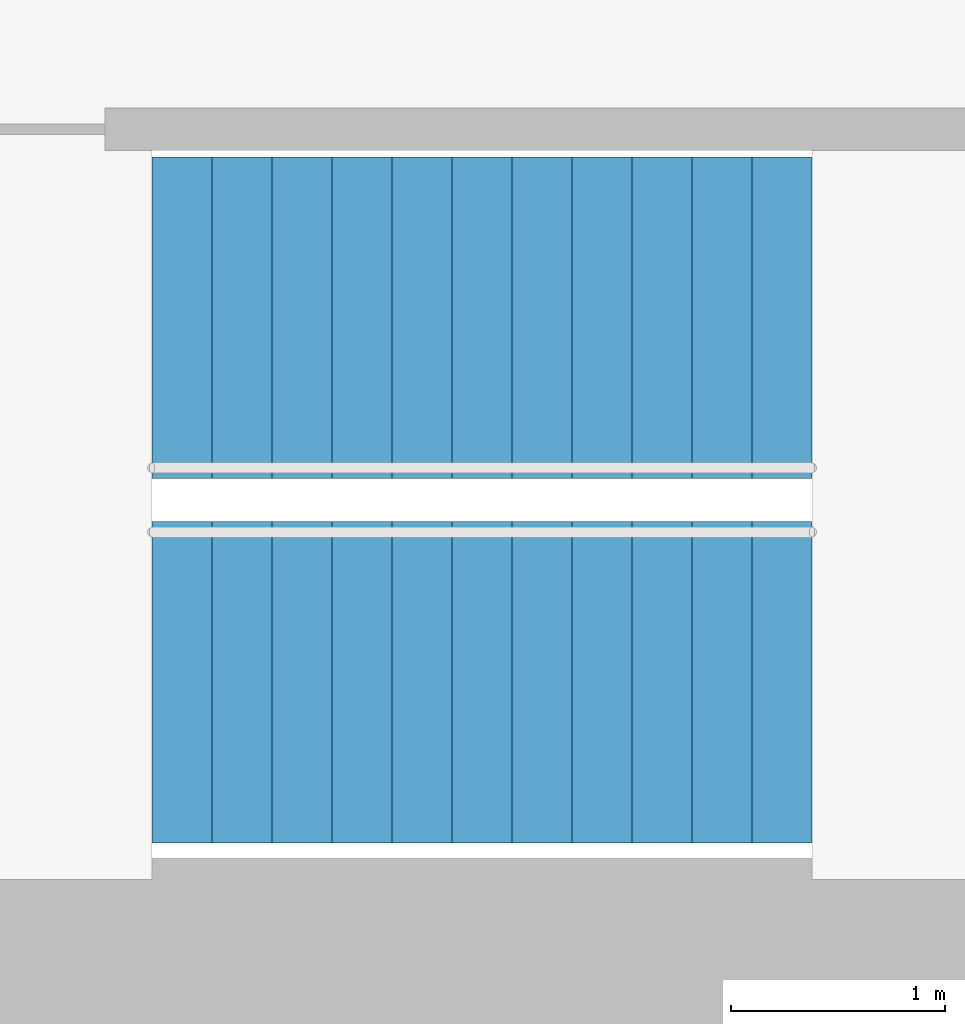
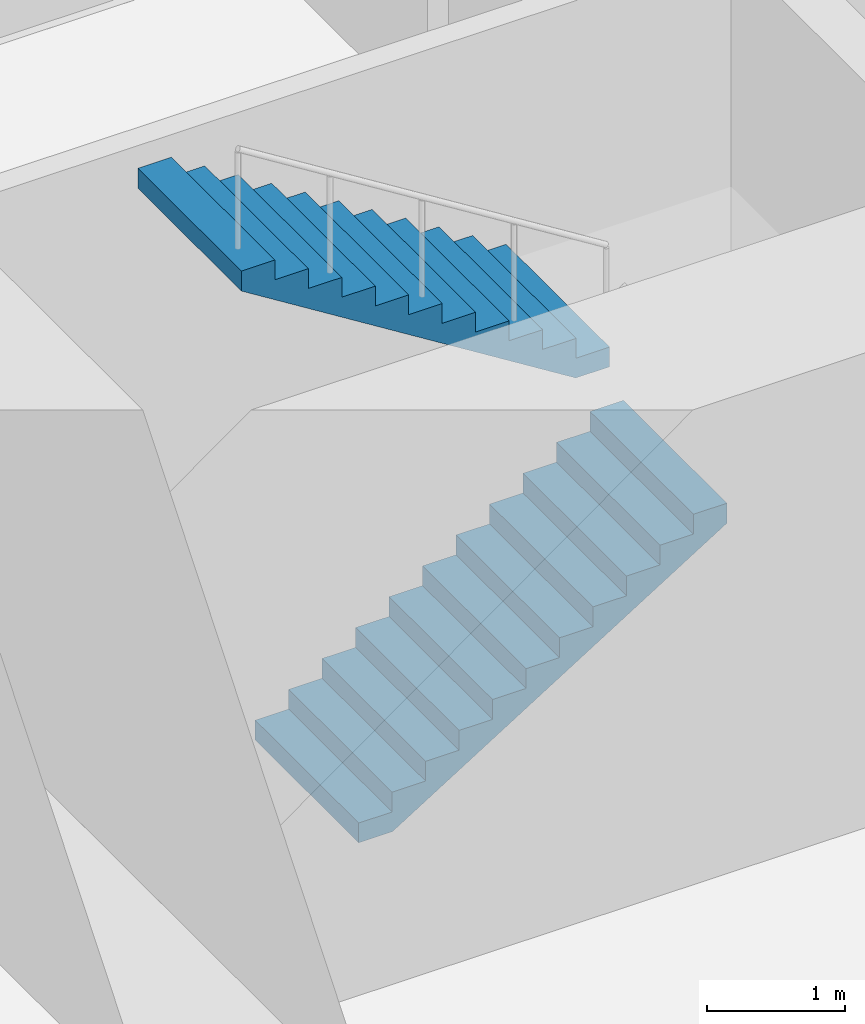
# One storey, part 16 of 18: 2 stair flights, 1 element without a shape of its own.
"""IFC4 building model written with IfcOpenShell, lengths in metres."""

from ifc_helpers import new_model, si_unit, direction, frame, origin, place, context, subcontext, project, spatial, triangles, material, type_object, element, aggregate, save


model = new_model("IFC4")

# Units and contexts
model_context = context("Model", 3, precision=1e-05, world=origin(), true_north=direction((0.0, 1.0)))
body_context = subcontext(model_context, "Body", "Model", "MODEL_VIEW")
ifc_project = project(units=[si_unit("LENGTHUNIT", "METRE"), si_unit("AREAUNIT", "SQUARE_METRE"), si_unit("VOLUMEUNIT", "CUBIC_METRE"), si_unit("PLANEANGLEUNIT", "RADIAN"), si_unit("MASSUNIT", "GRAM", prefix="KILO")], contexts=[model_context])

# Site, building, storey
site_placement = place(None, origin())
site = spatial("IfcSite", under=ifc_project, at=site_placement, CompositionType="ELEMENT")
building_placement = place(site_placement, origin())
building = spatial("IfcBuilding", under=site, at=building_placement, Name="Lantaw Convention Tower", CompositionType="ELEMENT")
storey_placement = place(building_placement, frame((0.0, 0.0, 176.199951171875)))
storey = spatial("IfcBuildingStorey", under=building, at=storey_placement, Name="L41", CompositionType="ELEMENT", Elevation=176.199951171875)

# Stair, stair flights
ifc_material = material(Name="Concrete C35/45", Category="concrete")
stair_type = type_object("IfcStairType", Name="Exit stair 1500 riser 175 in 2 flights", PredefinedType="HALF_TURN_STAIR", material=ifc_material)
stair_placement = place(storey_placement, origin())
stair = element("IfcStair", 1, at=stair_placement, inside=storey, type_object=stair_type, Name="Exit stair S1 L41", PredefinedType="HALF_TURN_STAIR")
stair_flight_type = type_object("IfcStairFlightType", Name="Stair flight 1500 riser 175", PredefinedType="STRAIGHT", material=ifc_material)
stair_flight_1_placement = place(storey_placement, frame((-10.580078125, -5.97998046875, 0.0), z_axis=(0.0, 0.0, 1.0), x_axis=(1.0, 0.0, 0.0)))
stair_flight_1 = element("IfcStairFlight", 2, at=stair_flight_1_placement, type_object=stair_flight_type, Name="S1 flight 1", NumberOfRisers=12, NumberOfTreads=11, PredefinedType="STRAIGHT", RiserHeight=0.175, TreadLength=0.28, context=body_context, shape_type="Tessellation", body=[
    triangles([(0.0, 0.75, 0.0), (0.0, 0.75, 0.175), (0.28, 0.75, 0.0), (0.28, 0.75, 0.175), (0.28, 0.75, 0.35), (0.28283517651771284, 0.75, 0.0), (0.28283517651771284, 0.75, 0.35), (0.56, 0.75, 0.17322801467642948), (0.56, 0.75, 0.35), (0.56, 0.75, 0.5249999999999999), (0.8400000000000001, 0.75, 0.34822801467642944), (0.8400000000000001, 0.75, 0.5249999999999999), (0.8400000000000001, 0.75, 0.7), (1.12, 0.75, 0.5232280146764294), (1.12, 0.75, 0.7), (1.12, 0.75, 0.875), (1.4000000000000001, 0.75, 0.6982280146764295), (1.4000000000000001, 0.75, 0.875), (1.4000000000000001, 0.75, 1.0499999999999998), (1.6800000000000002, 0.75, 0.8732280146764294), (1.6800000000000002, 0.75, 1.0499999999999998), (1.6800000000000002, 0.75, 1.2249999999999999), (1.9600000000000002, 0.75, 1.0482280146764293), (1.9600000000000002, 0.75, 1.2249999999999999), (1.9600000000000002, 0.75, 1.4), (2.24, 0.75, 1.2232280146764294), (2.24, 0.75, 1.4), (2.24, 0.75, 1.575), (2.5200000000000005, 0.75, 1.3982280146764294), (2.5200000000000005, 0.75, 1.575), (2.5200000000000005, 0.75, 1.75), (2.8000000000000003, 0.75, 1.5732280146764293), (2.8000000000000003, 0.75, 1.75), (2.8000000000000003, 0.75, 1.9249999999999998), (3.08, 0.75, 1.7482280146764293), (3.08, 0.75, 1.9249999999999998), (0.0, -0.75, 0.0), (0.0, -0.75, 0.175), (0.28, -0.75, 0.0), (0.28, -0.75, 0.175), (0.28, -0.75, 0.35), (0.28283517651771284, -0.75, 0.0), (0.28283517651771284, -0.75, 0.35), (0.56, -0.75, 0.17322801467642948), (0.56, -0.75, 0.35), (0.56, -0.75, 0.5249999999999999), (0.8400000000000001, -0.75, 0.34822801467642944), (0.8400000000000001, -0.75, 0.5249999999999999), (0.8400000000000001, -0.75, 0.7), (1.12, -0.75, 0.5232280146764294), (1.12, -0.75, 0.7), (1.12, -0.75, 0.875), (1.4000000000000001, -0.75, 0.6982280146764295), (1.4000000000000001, -0.75, 0.875), (1.4000000000000001, -0.75, 1.0499999999999998), (1.6800000000000002, -0.75, 0.8732280146764294), (1.6800000000000002, -0.75, 1.0499999999999998), (1.6800000000000002, -0.75, 1.2249999999999999), (1.9600000000000002, -0.75, 1.0482280146764293), (1.9600000000000002, -0.75, 1.2249999999999999), (1.9600000000000002, -0.75, 1.4), (2.24, -0.75, 1.2232280146764294), (2.24, -0.75, 1.4), (2.24, -0.75, 1.575), (2.5200000000000005, -0.75, 1.3982280146764294), (2.5200000000000005, -0.75, 1.575), (2.5200000000000005, -0.75, 1.75), (2.8000000000000003, -0.75, 1.5732280146764293), (2.8000000000000003, -0.75, 1.75), (2.8000000000000003, -0.75, 1.9249999999999998), (3.08, -0.75, 1.7482280146764293), (3.08, -0.75, 1.9249999999999998), (0.0, 0.15000000000000002, 0.175), (0.0, 0.15000000000000002, 0.0), (0.0, 0.0, 0.175), (0.0, 0.0, 0.0), (0.0, -0.15000000000000002, 0.175), (0.0, -0.15000000000000002, 0.0), (0.28, 0.15000000000000002, 0.35), (0.28, 0.15000000000000002, 0.175), (0.28, 0.0, 0.35), (0.28, 0.0, 0.175), (0.28, -0.15000000000000002, 0.35), (0.28, -0.15000000000000002, 0.175), (0.56, 0.15000000000000002, 0.5249999999999999), (0.56, 0.15000000000000002, 0.35), (0.56, 0.0, 0.5249999999999999), (0.56, 0.0, 0.35), (0.56, -0.15000000000000002, 0.5249999999999999), (0.56, -0.15000000000000002, 0.35), (0.8400000000000001, 0.15000000000000002, 0.7), (0.8400000000000001, 0.15000000000000002, 0.5249999999999999), (0.8400000000000001, 0.0, 0.7), (0.8400000000000001, 0.0, 0.5249999999999999), (0.8400000000000001, -0.15000000000000002, 0.7), (0.8400000000000001, -0.15000000000000002, 0.5249999999999999), (1.12, 0.15000000000000002, 0.875), (1.12, 0.15000000000000002, 0.7), (1.12, 0.0, 0.875), (1.12, 0.0, 0.7), (1.12, -0.15000000000000002, 0.875), (1.12, -0.15000000000000002, 0.7), (1.4000000000000001, 0.15000000000000002, 1.0499999999999998), (1.4000000000000001, 0.15000000000000002, 0.875), (1.4000000000000001, 0.0, 1.0499999999999998), (1.4000000000000001, 0.0, 0.875), (1.4000000000000001, -0.15000000000000002, 1.0499999999999998), (1.4000000000000001, -0.15000000000000002, 0.875), (1.6800000000000002, 0.15000000000000002, 1.2249999999999999), (1.6800000000000002, 0.15000000000000002, 1.0499999999999998), (1.6800000000000002, 0.0, 1.2249999999999999), (1.6800000000000002, 0.0, 1.0499999999999998), (1.6800000000000002, -0.15000000000000002, 1.2249999999999999), (1.6800000000000002, -0.15000000000000002, 1.0499999999999998), (1.9600000000000002, 0.15000000000000002, 1.4), (1.9600000000000002, 0.15000000000000002, 1.2249999999999999), (1.9600000000000002, 0.0, 1.4), (1.9600000000000002, 0.0, 1.2249999999999999), (1.9600000000000002, -0.15000000000000002, 1.4), (1.9600000000000002, -0.15000000000000002, 1.2249999999999999), (2.24, 0.15000000000000002, 1.575), (2.24, 0.15000000000000002, 1.4), (2.24, 0.0, 1.575), (2.24, 0.0, 1.4), (2.24, -0.15000000000000002, 1.575), (2.24, -0.15000000000000002, 1.4), (2.5200000000000005, 0.15000000000000002, 1.75), (2.5200000000000005, 0.15000000000000002, 1.575), (2.5200000000000005, 0.0, 1.75), (2.5200000000000005, 0.0, 1.575), (2.5200000000000005, -0.15000000000000002, 1.75), (2.5200000000000005, -0.15000000000000002, 1.575), (2.8000000000000003, 0.15000000000000002, 1.9249999999999998), (2.8000000000000003, 0.15000000000000002, 1.75), (2.8000000000000003, 0.0, 1.9249999999999998), (2.8000000000000003, 0.0, 1.75), (2.8000000000000003, -0.15000000000000002, 1.9249999999999998), (2.8000000000000003, -0.15000000000000002, 1.75), (0.28283517651771284, 0.15000000000000002, 0.35), (0.28283517651771284, 0.0, 0.35), (0.28283517651771284, -0.15000000000000002, 0.35), (3.08, 0.15000000000000002, 1.9249999999999998), (3.08, 0.0, 1.9249999999999998), (3.08, -0.15000000000000002, 1.9249999999999998), (3.08, 0.15000000000000002, 1.7482280146764293), (3.08, 0.0, 1.7482280146764293), (3.08, -0.15000000000000002, 1.7482280146764293), (2.8000000000000003, 0.15000000000000002, 1.5732280146764293), (2.8000000000000003, 0.0, 1.5732280146764293), (2.8000000000000003, -0.15000000000000002, 1.5732280146764293), (2.5200000000000005, 0.15000000000000002, 1.3982280146764294), (2.5200000000000005, 0.0, 1.3982280146764294), (2.5200000000000005, -0.15000000000000002, 1.3982280146764294), (2.24, 0.15000000000000002, 1.2232280146764294), (2.24, 0.0, 1.2232280146764294), (2.24, -0.15000000000000002, 1.2232280146764294), (1.9600000000000002, 0.15000000000000002, 1.0482280146764293), (1.9600000000000002, 0.0, 1.0482280146764293), (1.9600000000000002, -0.15000000000000002, 1.0482280146764293), (1.6800000000000002, 0.15000000000000002, 0.8732280146764294), (1.6800000000000002, 0.0, 0.8732280146764294), (1.6800000000000002, -0.15000000000000002, 0.8732280146764294), (1.4000000000000001, 0.15000000000000002, 0.6982280146764295), (1.4000000000000001, 0.0, 0.6982280146764295), (1.4000000000000001, -0.15000000000000002, 0.6982280146764295), (1.12, 0.15000000000000002, 0.5232280146764294), (1.12, 0.0, 0.5232280146764294), (1.12, -0.15000000000000002, 0.5232280146764294), (0.8400000000000001, 0.15000000000000002, 0.34822801467642944), (0.8400000000000001, 0.0, 0.34822801467642944), (0.8400000000000001, -0.15000000000000002, 0.34822801467642944), (0.56, 0.15000000000000002, 0.17322801467642948), (0.56, 0.0, 0.17322801467642948), (0.56, -0.15000000000000002, 0.17322801467642948), (0.28283517651771284, 0.15000000000000002, 0.0), (0.28283517651771284, 0.0, 0.0), (0.28283517651771284, -0.15000000000000002, 0.0), (0.28, 0.15000000000000002, 0.0), (0.28, 0.0, 0.0), (0.28, -0.15000000000000002, 0.0)], [[1, 4, 3], [1, 2, 4], [3, 4, 6], [4, 7, 6], [4, 5, 7], [6, 9, 8], [6, 7, 9], [8, 9, 11], [9, 12, 11], [9, 10, 12], [11, 12, 14], [12, 15, 14], [12, 13, 15], [14, 15, 17], [15, 18, 17], [15, 16, 18], [17, 18, 20], [18, 21, 20], [18, 19, 21], [20, 21, 23], [21, 24, 23], [21, 22, 24], [23, 24, 26], [24, 27, 26], [24, 25, 27], [26, 27, 29], [27, 30, 29], [27, 28, 30], [29, 30, 32], [30, 33, 32], [30, 31, 33], [32, 33, 35], [33, 36, 35], [33, 34, 36], [37, 39, 40], [37, 40, 38], [39, 42, 40], [40, 42, 43], [40, 43, 41], [42, 44, 45], [42, 45, 43], [44, 47, 45], [45, 47, 48], [45, 48, 46], [47, 50, 48], [48, 50, 51], [48, 51, 49], [50, 53, 51], [51, 53, 54], [51, 54, 52], [53, 56, 54], [54, 56, 57], [54, 57, 55], [56, 59, 57], [57, 59, 60], [57, 60, 58], [59, 62, 60], [60, 62, 63], [60, 63, 61], [62, 65, 63], [63, 65, 66], [63, 66, 64], [65, 68, 66], [66, 68, 69], [66, 69, 67], [68, 71, 69], [69, 71, 72], [69, 72, 70], [1, 73, 2], [1, 74, 73], [74, 75, 73], [74, 76, 75], [76, 77, 75], [76, 78, 77], [78, 38, 77], [78, 37, 38], [4, 79, 5], [4, 80, 79], [80, 81, 79], [80, 82, 81], [82, 83, 81], [82, 84, 83], [84, 41, 83], [84, 40, 41], [9, 85, 10], [9, 86, 85], [86, 87, 85], [86, 88, 87], [88, 89, 87], [88, 90, 89], [90, 46, 89], [90, 45, 46], [12, 91, 13], [12, 92, 91], [92, 93, 91], [92, 94, 93], [94, 95, 93], [94, 96, 95], [96, 49, 95], [96, 48, 49], [15, 97, 16], [15, 98, 97], [98, 99, 97], [98, 100, 99], [100, 101, 99], [100, 102, 101], [102, 52, 101], [102, 51, 52], [18, 103, 19], [18, 104, 103], [104, 105, 103], [104, 106, 105], [106, 107, 105], [106, 108, 107], [108, 55, 107], [108, 54, 55], [21, 109, 22], [21, 110, 109], [110, 111, 109], [110, 112, 111], [112, 113, 111], [112, 114, 113], [114, 58, 113], [114, 57, 58], [24, 115, 25], [24, 116, 115], [116, 117, 115], [116, 118, 117], [118, 119, 117], [118, 120, 119], [120, 61, 119], [120, 60, 61], [27, 121, 28], [27, 122, 121], [122, 123, 121], [122, 124, 123], [124, 125, 123], [124, 126, 125], [126, 64, 125], [126, 63, 64], [30, 127, 31], [30, 128, 127], [128, 129, 127], [128, 130, 129], [130, 131, 129], [130, 132, 131], [132, 67, 131], [132, 66, 67], [33, 133, 34], [33, 134, 133], [134, 135, 133], [134, 136, 135], [136, 137, 135], [136, 138, 137], [138, 70, 137], [138, 69, 70], [2, 80, 4], [2, 73, 80], [73, 82, 80], [73, 75, 82], [75, 84, 82], [75, 77, 84], [77, 40, 84], [77, 38, 40], [5, 139, 7], [5, 79, 139], [79, 140, 139], [79, 81, 140], [81, 141, 140], [81, 83, 141], [83, 43, 141], [83, 41, 43], [7, 86, 9], [7, 139, 86], [139, 88, 86], [139, 140, 88], [140, 90, 88], [140, 141, 90], [141, 45, 90], [141, 43, 45], [10, 92, 12], [10, 85, 92], [85, 94, 92], [85, 87, 94], [87, 96, 94], [87, 89, 96], [89, 48, 96], [89, 46, 48], [13, 98, 15], [13, 91, 98], [91, 100, 98], [91, 93, 100], [93, 102, 100], [93, 95, 102], [95, 51, 102], [95, 49, 51], [16, 104, 18], [16, 97, 104], [97, 106, 104], [97, 99, 106], [99, 108, 106], [99, 101, 108], [101, 54, 108], [101, 52, 54], [19, 110, 21], [19, 103, 110], [103, 112, 110], [103, 105, 112], [105, 114, 112], [105, 107, 114], [107, 57, 114], [107, 55, 57], [22, 116, 24], [22, 109, 116], [109, 118, 116], [109, 111, 118], [111, 120, 118], [111, 113, 120], [113, 60, 120], [113, 58, 60], [25, 122, 27], [25, 115, 122], [115, 124, 122], [115, 117, 124], [117, 126, 124], [117, 119, 126], [119, 63, 126], [119, 61, 63], [28, 128, 30], [28, 121, 128], [121, 130, 128], [121, 123, 130], [123, 132, 130], [123, 125, 132], [125, 66, 132], [125, 64, 66], [31, 134, 33], [31, 127, 134], [127, 136, 134], [127, 129, 136], [129, 138, 136], [129, 131, 138], [131, 69, 138], [131, 67, 69], [34, 142, 36], [34, 133, 142], [133, 143, 142], [133, 135, 143], [135, 144, 143], [135, 137, 144], [137, 72, 144], [137, 70, 72], [36, 145, 35], [36, 142, 145], [142, 146, 145], [142, 143, 146], [143, 147, 146], [143, 144, 147], [144, 71, 147], [144, 72, 71], [35, 148, 32], [35, 145, 148], [145, 149, 148], [145, 146, 149], [146, 150, 149], [146, 147, 150], [147, 68, 150], [147, 71, 68], [32, 151, 29], [32, 148, 151], [148, 152, 151], [148, 149, 152], [149, 153, 152], [149, 150, 153], [150, 65, 153], [150, 68, 65], [29, 154, 26], [29, 151, 154], [151, 155, 154], [151, 152, 155], [152, 156, 155], [152, 153, 156], [153, 62, 156], [153, 65, 62], [26, 157, 23], [26, 154, 157], [154, 158, 157], [154, 155, 158], [155, 159, 158], [155, 156, 159], [156, 59, 159], [156, 62, 59], [23, 160, 20], [23, 157, 160], [157, 161, 160], [157, 158, 161], [158, 162, 161], [158, 159, 162], [159, 56, 162], [159, 59, 56], [20, 163, 17], [20, 160, 163], [160, 164, 163], [160, 161, 164], [161, 165, 164], [161, 162, 165], [162, 53, 165], [162, 56, 53], [17, 166, 14], [17, 163, 166], [163, 167, 166], [163, 164, 167], [164, 168, 167], [164, 165, 168], [165, 50, 168], [165, 53, 50], [14, 169, 11], [14, 166, 169], [166, 170, 169], [166, 167, 170], [167, 171, 170], [167, 168, 171], [168, 47, 171], [168, 50, 47], [11, 172, 8], [11, 169, 172], [169, 173, 172], [169, 170, 173], [170, 174, 173], [170, 171, 174], [171, 44, 174], [171, 47, 44], [8, 175, 6], [8, 172, 175], [172, 176, 175], [172, 173, 176], [173, 177, 176], [173, 174, 177], [174, 42, 177], [174, 44, 42], [6, 178, 3], [6, 175, 178], [175, 179, 178], [175, 176, 179], [176, 180, 179], [176, 177, 180], [177, 39, 180], [177, 42, 39], [3, 74, 1], [3, 178, 74], [178, 76, 74], [178, 179, 76], [179, 78, 76], [179, 180, 78], [180, 37, 78], [180, 39, 37]], closed=True),
])
stair_flight_2_placement = place(storey_placement, frame((-7.5, -4.280029296875, 2.10009765625), z_axis=(0.0, 0.0, 1.0), x_axis=(-1.0, 0.0, 0.0)))
stair_flight_2 = element("IfcStairFlight", 3, at=stair_flight_2_placement, type_object=stair_flight_type, Name="S1 flight 2", NumberOfRisers=12, NumberOfTreads=11, PredefinedType="STRAIGHT", RiserHeight=0.175, TreadLength=0.28, context=body_context, shape_type="Tessellation", body=[
    triangles([(0.0, 0.75, 0.0), (0.0, 0.75, 0.175), (0.28, 0.75, 0.0), (0.28, 0.75, 0.175), (0.28, 0.75, 0.35), (0.28283517651771284, 0.75, 0.0), (0.28283517651771284, 0.75, 0.35), (0.56, 0.75, 0.17322801467642948), (0.56, 0.75, 0.35), (0.56, 0.75, 0.5249999999999999), (0.8400000000000001, 0.75, 0.34822801467642944), (0.8400000000000001, 0.75, 0.5249999999999999), (0.8400000000000001, 0.75, 0.7), (1.12, 0.75, 0.5232280146764294), (1.12, 0.75, 0.7), (1.12, 0.75, 0.875), (1.4000000000000001, 0.75, 0.6982280146764295), (1.4000000000000001, 0.75, 0.875), (1.4000000000000001, 0.75, 1.0499999999999998), (1.6800000000000002, 0.75, 0.8732280146764294), (1.6800000000000002, 0.75, 1.0499999999999998), (1.6800000000000002, 0.75, 1.2249999999999999), (1.9600000000000002, 0.75, 1.0482280146764293), (1.9600000000000002, 0.75, 1.2249999999999999), (1.9600000000000002, 0.75, 1.4), (2.24, 0.75, 1.2232280146764294), (2.24, 0.75, 1.4), (2.24, 0.75, 1.575), (2.5200000000000005, 0.75, 1.3982280146764294), (2.5200000000000005, 0.75, 1.575), (2.5200000000000005, 0.75, 1.75), (2.8000000000000003, 0.75, 1.5732280146764293), (2.8000000000000003, 0.75, 1.75), (2.8000000000000003, 0.75, 1.9249999999999998), (3.08, 0.75, 1.7482280146764293), (3.08, 0.75, 1.9249999999999998), (0.0, -0.75, 0.0), (0.0, -0.75, 0.175), (0.28, -0.75, 0.0), (0.28, -0.75, 0.175), (0.28, -0.75, 0.35), (0.28283517651771284, -0.75, 0.0), (0.28283517651771284, -0.75, 0.35), (0.56, -0.75, 0.17322801467642948), (0.56, -0.75, 0.35), (0.56, -0.75, 0.5249999999999999), (0.8400000000000001, -0.75, 0.34822801467642944), (0.8400000000000001, -0.75, 0.5249999999999999), (0.8400000000000001, -0.75, 0.7), (1.12, -0.75, 0.5232280146764294), (1.12, -0.75, 0.7), (1.12, -0.75, 0.875), (1.4000000000000001, -0.75, 0.6982280146764295), (1.4000000000000001, -0.75, 0.875), (1.4000000000000001, -0.75, 1.0499999999999998), (1.6800000000000002, -0.75, 0.8732280146764294), (1.6800000000000002, -0.75, 1.0499999999999998), (1.6800000000000002, -0.75, 1.2249999999999999), (1.9600000000000002, -0.75, 1.0482280146764293), (1.9600000000000002, -0.75, 1.2249999999999999), (1.9600000000000002, -0.75, 1.4), (2.24, -0.75, 1.2232280146764294), (2.24, -0.75, 1.4), (2.24, -0.75, 1.575), (2.5200000000000005, -0.75, 1.3982280146764294), (2.5200000000000005, -0.75, 1.575), (2.5200000000000005, -0.75, 1.75), (2.8000000000000003, -0.75, 1.5732280146764293), (2.8000000000000003, -0.75, 1.75), (2.8000000000000003, -0.75, 1.9249999999999998), (3.08, -0.75, 1.7482280146764293), (3.08, -0.75, 1.9249999999999998), (0.0, 0.15000000000000002, 0.175), (0.0, 0.15000000000000002, 0.0), (0.0, 0.0, 0.175), (0.0, 0.0, 0.0), (0.0, -0.15000000000000002, 0.175), (0.0, -0.15000000000000002, 0.0), (0.28, 0.15000000000000002, 0.35), (0.28, 0.15000000000000002, 0.175), (0.28, 0.0, 0.35), (0.28, 0.0, 0.175), (0.28, -0.15000000000000002, 0.35), (0.28, -0.15000000000000002, 0.175), (0.56, 0.15000000000000002, 0.5249999999999999), (0.56, 0.15000000000000002, 0.35), (0.56, 0.0, 0.5249999999999999), (0.56, 0.0, 0.35), (0.56, -0.15000000000000002, 0.5249999999999999), (0.56, -0.15000000000000002, 0.35), (0.8400000000000001, 0.15000000000000002, 0.7), (0.8400000000000001, 0.15000000000000002, 0.5249999999999999), (0.8400000000000001, 0.0, 0.7), (0.8400000000000001, 0.0, 0.5249999999999999), (0.8400000000000001, -0.15000000000000002, 0.7), (0.8400000000000001, -0.15000000000000002, 0.5249999999999999), (1.12, 0.15000000000000002, 0.875), (1.12, 0.15000000000000002, 0.7), (1.12, 0.0, 0.875), (1.12, 0.0, 0.7), (1.12, -0.15000000000000002, 0.875), (1.12, -0.15000000000000002, 0.7), (1.4000000000000001, 0.15000000000000002, 1.0499999999999998), (1.4000000000000001, 0.15000000000000002, 0.875), (1.4000000000000001, 0.0, 1.0499999999999998), (1.4000000000000001, 0.0, 0.875), (1.4000000000000001, -0.15000000000000002, 1.0499999999999998), (1.4000000000000001, -0.15000000000000002, 0.875), (1.6800000000000002, 0.15000000000000002, 1.2249999999999999), (1.6800000000000002, 0.15000000000000002, 1.0499999999999998), (1.6800000000000002, 0.0, 1.2249999999999999), (1.6800000000000002, 0.0, 1.0499999999999998), (1.6800000000000002, -0.15000000000000002, 1.2249999999999999), (1.6800000000000002, -0.15000000000000002, 1.0499999999999998), (1.9600000000000002, 0.15000000000000002, 1.4), (1.9600000000000002, 0.15000000000000002, 1.2249999999999999), (1.9600000000000002, 0.0, 1.4), (1.9600000000000002, 0.0, 1.2249999999999999), (1.9600000000000002, -0.15000000000000002, 1.4), (1.9600000000000002, -0.15000000000000002, 1.2249999999999999), (2.24, 0.15000000000000002, 1.575), (2.24, 0.15000000000000002, 1.4), (2.24, 0.0, 1.575), (2.24, 0.0, 1.4), (2.24, -0.15000000000000002, 1.575), (2.24, -0.15000000000000002, 1.4), (2.5200000000000005, 0.15000000000000002, 1.75), (2.5200000000000005, 0.15000000000000002, 1.575), (2.5200000000000005, 0.0, 1.75), (2.5200000000000005, 0.0, 1.575), (2.5200000000000005, -0.15000000000000002, 1.75), (2.5200000000000005, -0.15000000000000002, 1.575), (2.8000000000000003, 0.15000000000000002, 1.9249999999999998), (2.8000000000000003, 0.15000000000000002, 1.75), (2.8000000000000003, 0.0, 1.9249999999999998), (2.8000000000000003, 0.0, 1.75), (2.8000000000000003, -0.15000000000000002, 1.9249999999999998), (2.8000000000000003, -0.15000000000000002, 1.75), (0.28283517651771284, 0.15000000000000002, 0.35), (0.28283517651771284, 0.0, 0.35), (0.28283517651771284, -0.15000000000000002, 0.35), (3.08, 0.15000000000000002, 1.9249999999999998), (3.08, 0.0, 1.9249999999999998), (3.08, -0.15000000000000002, 1.9249999999999998), (3.08, 0.15000000000000002, 1.7482280146764293), (3.08, 0.0, 1.7482280146764293), (3.08, -0.15000000000000002, 1.7482280146764293), (2.8000000000000003, 0.15000000000000002, 1.5732280146764293), (2.8000000000000003, 0.0, 1.5732280146764293), (2.8000000000000003, -0.15000000000000002, 1.5732280146764293), (2.5200000000000005, 0.15000000000000002, 1.3982280146764294), (2.5200000000000005, 0.0, 1.3982280146764294), (2.5200000000000005, -0.15000000000000002, 1.3982280146764294), (2.24, 0.15000000000000002, 1.2232280146764294), (2.24, 0.0, 1.2232280146764294), (2.24, -0.15000000000000002, 1.2232280146764294), (1.9600000000000002, 0.15000000000000002, 1.0482280146764293), (1.9600000000000002, 0.0, 1.0482280146764293), (1.9600000000000002, -0.15000000000000002, 1.0482280146764293), (1.6800000000000002, 0.15000000000000002, 0.8732280146764294), (1.6800000000000002, 0.0, 0.8732280146764294), (1.6800000000000002, -0.15000000000000002, 0.8732280146764294), (1.4000000000000001, 0.15000000000000002, 0.6982280146764295), (1.4000000000000001, 0.0, 0.6982280146764295), (1.4000000000000001, -0.15000000000000002, 0.6982280146764295), (1.12, 0.15000000000000002, 0.5232280146764294), (1.12, 0.0, 0.5232280146764294), (1.12, -0.15000000000000002, 0.5232280146764294), (0.8400000000000001, 0.15000000000000002, 0.34822801467642944), (0.8400000000000001, 0.0, 0.34822801467642944), (0.8400000000000001, -0.15000000000000002, 0.34822801467642944), (0.56, 0.15000000000000002, 0.17322801467642948), (0.56, 0.0, 0.17322801467642948), (0.56, -0.15000000000000002, 0.17322801467642948), (0.28283517651771284, 0.15000000000000002, 0.0), (0.28283517651771284, 0.0, 0.0), (0.28283517651771284, -0.15000000000000002, 0.0), (0.28, 0.15000000000000002, 0.0), (0.28, 0.0, 0.0), (0.28, -0.15000000000000002, 0.0)], [[1, 4, 3], [1, 2, 4], [3, 4, 6], [4, 7, 6], [4, 5, 7], [6, 9, 8], [6, 7, 9], [8, 9, 11], [9, 12, 11], [9, 10, 12], [11, 12, 14], [12, 15, 14], [12, 13, 15], [14, 15, 17], [15, 18, 17], [15, 16, 18], [17, 18, 20], [18, 21, 20], [18, 19, 21], [20, 21, 23], [21, 24, 23], [21, 22, 24], [23, 24, 26], [24, 27, 26], [24, 25, 27], [26, 27, 29], [27, 30, 29], [27, 28, 30], [29, 30, 32], [30, 33, 32], [30, 31, 33], [32, 33, 35], [33, 36, 35], [33, 34, 36], [37, 39, 40], [37, 40, 38], [39, 42, 40], [40, 42, 43], [40, 43, 41], [42, 44, 45], [42, 45, 43], [44, 47, 45], [45, 47, 48], [45, 48, 46], [47, 50, 48], [48, 50, 51], [48, 51, 49], [50, 53, 51], [51, 53, 54], [51, 54, 52], [53, 56, 54], [54, 56, 57], [54, 57, 55], [56, 59, 57], [57, 59, 60], [57, 60, 58], [59, 62, 60], [60, 62, 63], [60, 63, 61], [62, 65, 63], [63, 65, 66], [63, 66, 64], [65, 68, 66], [66, 68, 69], [66, 69, 67], [68, 71, 69], [69, 71, 72], [69, 72, 70], [1, 73, 2], [1, 74, 73], [74, 75, 73], [74, 76, 75], [76, 77, 75], [76, 78, 77], [78, 38, 77], [78, 37, 38], [4, 79, 5], [4, 80, 79], [80, 81, 79], [80, 82, 81], [82, 83, 81], [82, 84, 83], [84, 41, 83], [84, 40, 41], [9, 85, 10], [9, 86, 85], [86, 87, 85], [86, 88, 87], [88, 89, 87], [88, 90, 89], [90, 46, 89], [90, 45, 46], [12, 91, 13], [12, 92, 91], [92, 93, 91], [92, 94, 93], [94, 95, 93], [94, 96, 95], [96, 49, 95], [96, 48, 49], [15, 97, 16], [15, 98, 97], [98, 99, 97], [98, 100, 99], [100, 101, 99], [100, 102, 101], [102, 52, 101], [102, 51, 52], [18, 103, 19], [18, 104, 103], [104, 105, 103], [104, 106, 105], [106, 107, 105], [106, 108, 107], [108, 55, 107], [108, 54, 55], [21, 109, 22], [21, 110, 109], [110, 111, 109], [110, 112, 111], [112, 113, 111], [112, 114, 113], [114, 58, 113], [114, 57, 58], [24, 115, 25], [24, 116, 115], [116, 117, 115], [116, 118, 117], [118, 119, 117], [118, 120, 119], [120, 61, 119], [120, 60, 61], [27, 121, 28], [27, 122, 121], [122, 123, 121], [122, 124, 123], [124, 125, 123], [124, 126, 125], [126, 64, 125], [126, 63, 64], [30, 127, 31], [30, 128, 127], [128, 129, 127], [128, 130, 129], [130, 131, 129], [130, 132, 131], [132, 67, 131], [132, 66, 67], [33, 133, 34], [33, 134, 133], [134, 135, 133], [134, 136, 135], [136, 137, 135], [136, 138, 137], [138, 70, 137], [138, 69, 70], [2, 80, 4], [2, 73, 80], [73, 82, 80], [73, 75, 82], [75, 84, 82], [75, 77, 84], [77, 40, 84], [77, 38, 40], [5, 139, 7], [5, 79, 139], [79, 140, 139], [79, 81, 140], [81, 141, 140], [81, 83, 141], [83, 43, 141], [83, 41, 43], [7, 86, 9], [7, 139, 86], [139, 88, 86], [139, 140, 88], [140, 90, 88], [140, 141, 90], [141, 45, 90], [141, 43, 45], [10, 92, 12], [10, 85, 92], [85, 94, 92], [85, 87, 94], [87, 96, 94], [87, 89, 96], [89, 48, 96], [89, 46, 48], [13, 98, 15], [13, 91, 98], [91, 100, 98], [91, 93, 100], [93, 102, 100], [93, 95, 102], [95, 51, 102], [95, 49, 51], [16, 104, 18], [16, 97, 104], [97, 106, 104], [97, 99, 106], [99, 108, 106], [99, 101, 108], [101, 54, 108], [101, 52, 54], [19, 110, 21], [19, 103, 110], [103, 112, 110], [103, 105, 112], [105, 114, 112], [105, 107, 114], [107, 57, 114], [107, 55, 57], [22, 116, 24], [22, 109, 116], [109, 118, 116], [109, 111, 118], [111, 120, 118], [111, 113, 120], [113, 60, 120], [113, 58, 60], [25, 122, 27], [25, 115, 122], [115, 124, 122], [115, 117, 124], [117, 126, 124], [117, 119, 126], [119, 63, 126], [119, 61, 63], [28, 128, 30], [28, 121, 128], [121, 130, 128], [121, 123, 130], [123, 132, 130], [123, 125, 132], [125, 66, 132], [125, 64, 66], [31, 134, 33], [31, 127, 134], [127, 136, 134], [127, 129, 136], [129, 138, 136], [129, 131, 138], [131, 69, 138], [131, 67, 69], [34, 142, 36], [34, 133, 142], [133, 143, 142], [133, 135, 143], [135, 144, 143], [135, 137, 144], [137, 72, 144], [137, 70, 72], [36, 145, 35], [36, 142, 145], [142, 146, 145], [142, 143, 146], [143, 147, 146], [143, 144, 147], [144, 71, 147], [144, 72, 71], [35, 148, 32], [35, 145, 148], [145, 149, 148], [145, 146, 149], [146, 150, 149], [146, 147, 150], [147, 68, 150], [147, 71, 68], [32, 151, 29], [32, 148, 151], [148, 152, 151], [148, 149, 152], [149, 153, 152], [149, 150, 153], [150, 65, 153], [150, 68, 65], [29, 154, 26], [29, 151, 154], [151, 155, 154], [151, 152, 155], [152, 156, 155], [152, 153, 156], [153, 62, 156], [153, 65, 62], [26, 157, 23], [26, 154, 157], [154, 158, 157], [154, 155, 158], [155, 159, 158], [155, 156, 159], [156, 59, 159], [156, 62, 59], [23, 160, 20], [23, 157, 160], [157, 161, 160], [157, 158, 161], [158, 162, 161], [158, 159, 162], [159, 56, 162], [159, 59, 56], [20, 163, 17], [20, 160, 163], [160, 164, 163], [160, 161, 164], [161, 165, 164], [161, 162, 165], [162, 53, 165], [162, 56, 53], [17, 166, 14], [17, 163, 166], [163, 167, 166], [163, 164, 167], [164, 168, 167], [164, 165, 168], [165, 50, 168], [165, 53, 50], [14, 169, 11], [14, 166, 169], [166, 170, 169], [166, 167, 170], [167, 171, 170], [167, 168, 171], [168, 47, 171], [168, 50, 47], [11, 172, 8], [11, 169, 172], [169, 173, 172], [169, 170, 173], [170, 174, 173], [170, 171, 174], [171, 44, 174], [171, 47, 44], [8, 175, 6], [8, 172, 175], [172, 176, 175], [172, 173, 176], [173, 177, 176], [173, 174, 177], [174, 42, 177], [174, 44, 42], [6, 178, 3], [6, 175, 178], [175, 179, 178], [175, 176, 179], [176, 180, 179], [176, 177, 180], [177, 39, 180], [177, 42, 39], [3, 74, 1], [3, 178, 74], [178, 76, 74], [178, 179, 76], [179, 78, 76], [179, 180, 78], [180, 37, 78], [180, 39, 37]], closed=True),
])
aggregate(stair, [stair_flight_1, stair_flight_2])

save(model, "model.ifc")
